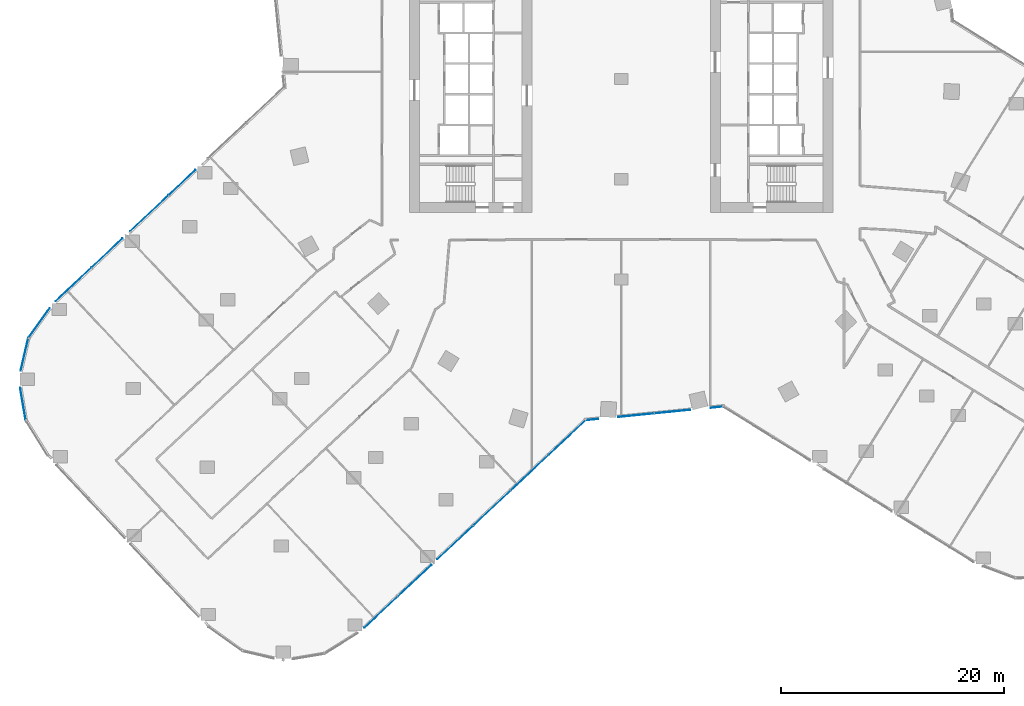
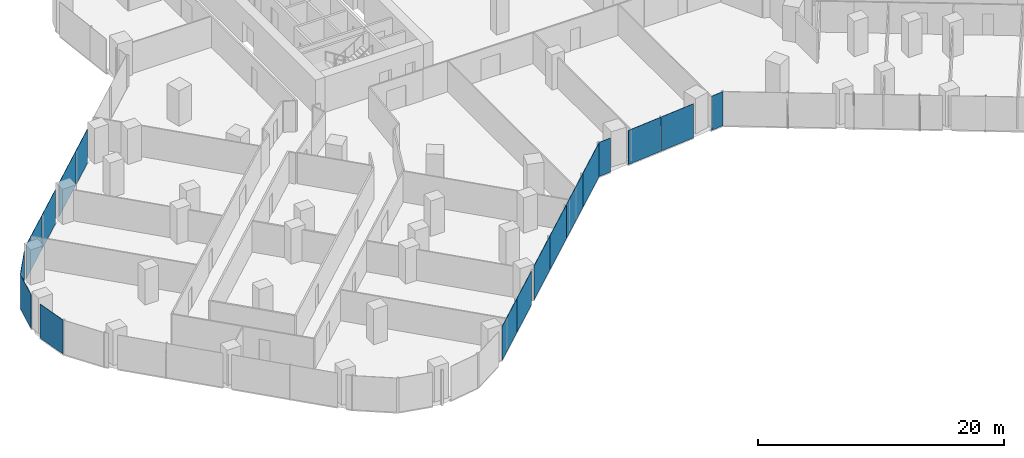
# One storey, part 18 of 34: 17 plates, 6 elements without a shape of their own.
"""IFC4 building model written with IfcOpenShell, lengths in metres."""

from ifc_helpers import new_model, si_unit, direction, frame, origin, origin_2d, place, context, subcontext, project, spatial, rectangle, extrude, material, layer, layer_set, type_object, element, aggregate, save


model = new_model("IFC4")

# Units and contexts
model_context = context("Model", 3, precision=1e-05, world=origin(), true_north=direction((0.0, 1.0)))
body_context = subcontext(model_context, "Body", "Model", "MODEL_VIEW")
ifc_project = project(units=[si_unit("LENGTHUNIT", "METRE"), si_unit("AREAUNIT", "SQUARE_METRE"), si_unit("VOLUMEUNIT", "CUBIC_METRE"), si_unit("PLANEANGLEUNIT", "RADIAN"), si_unit("MASSUNIT", "GRAM", prefix="KILO")], contexts=[model_context])

# Site, building, storey
site_placement = place(None, origin())
site = spatial("IfcSite", under=ifc_project, at=site_placement, CompositionType="ELEMENT")
building_placement = place(site_placement, origin())
building = spatial("IfcBuilding", under=site, at=building_placement, Name="Orlundy Tower", CompositionType="ELEMENT")
storey_placement = place(building_placement, frame((0.0, 0.0, 47.800048828125)))
storey = spatial("IfcBuildingStorey", under=building, at=storey_placement, Name="L10", CompositionType="ELEMENT", Elevation=47.800048828125)

# Curtain wall, plates
ifc_material_1 = material(Name="Aluminium bronze anodised", Category="aluminium")
curtain_wall_type = type_object("IfcCurtainWallType", Name="CW1 wall", PredefinedType="NOTDEFINED", material=ifc_material_1)
curtain_wall_1_placement = place(storey_placement, origin())
curtain_wall_1 = element("IfcCurtainWall", 1, at=curtain_wall_1_placement, inside=storey, type_object=curtain_wall_type, Name="CW1 run 00", PredefinedType="NOTDEFINED")
ifc_material_2 = material(Name="Tinted glass", Category="glass")
ifc_layer = layer(ifc_material_2, 0.031982421875)
ifc_layer_set = layer_set([ifc_layer], Name="CW1 glass panel 32")
plate_type = type_object("IfcPlateType", Name="CW1 glass panel 32", PredefinedType="CURTAIN_PANEL", material=ifc_layer_set)
plate_1_placement = place(storey_placement, frame((-49.14013671875, -18.446044921875, -0.300048828125), z_axis=(0.0, 0.0, 1.0), x_axis=(0.729351371178, 0.684139296752, 0.0)))
plate_1 = element("IfcPlate", 2, at=plate_1_placement, type_object=plate_type, Name="CW1 panel", PredefinedType="CURTAIN_PANEL", context=body_context, shape_type="SweptSolid", body=[
    extrude(rectangle(XDim=4.3818359375, YDim=0.031982421875, at=origin_2d()), origin(), (0.0, 0.0, 1.0), 3.3798828125),
])
plate_2_placement = place(storey_placement, frame((-46.118408203125, -15.611572265625, -0.300048828125), z_axis=(0.0, 0.0, 1.0), x_axis=(0.729351371178, 0.684139296752, 0.0)))
plate_2 = element("IfcPlate", 3, at=plate_2_placement, type_object=plate_type, Name="CW1 panel", PredefinedType="CURTAIN_PANEL", context=body_context, shape_type="SweptSolid", body=[
    extrude(rectangle(XDim=3.80419921875, YDim=0.031982421875, at=origin_2d()), origin(), (0.0, 0.0, 1.0), 3.3798828125),
])
plate_3_placement = place(storey_placement, frame((-42.3212890625, -12.050048828125, -0.300048828125), z_axis=(0.0, 0.0, 1.0), x_axis=(0.729351371178, 0.684139296752, 0.0)))
plate_3 = element("IfcPlate", 4, at=plate_3_placement, type_object=plate_type, Name="CW1 panel", PredefinedType="CURTAIN_PANEL", context=body_context, shape_type="SweptSolid", body=[
    extrude(rectangle(XDim=4.705322265625, YDim=0.031982421875, at=origin_2d()), origin(), (0.0, 0.0, 1.0), 3.3798828125),
])
plate_4_placement = place(storey_placement, frame((-39.3798828125, -9.291015625, -0.300048828125), z_axis=(0.0, 0.0, 1.0), x_axis=(0.729351371178, 0.684139296752, 0.0)))
plate_4 = element("IfcPlate", 5, at=plate_4_placement, type_object=plate_type, Name="CW1 panel", PredefinedType="CURTAIN_PANEL", context=body_context, shape_type="SweptSolid", body=[
    extrude(rectangle(XDim=3.260498046875, YDim=0.031982421875, at=origin_2d()), origin(), (0.0, 0.0, 1.0), 3.3798828125),
])
aggregate(curtain_wall_1, [plate_1, plate_2, plate_3, plate_4])

curtain_wall_2_placement = place(storey_placement, origin())
curtain_wall_2 = element("IfcCurtainWall", 6, at=curtain_wall_2_placement, inside=storey, type_object=curtain_wall_type, Name="CW1 run 017", PredefinedType="NOTDEFINED")
plate_5_placement = place(storey_placement, frame((8.5810546875, -29.460693359375, -0.300048828125), z_axis=(0.0, 0.0, 1.0), x_axis=(-0.995112236774, -0.098750373279, 0.0)))
plate_5 = element("IfcPlate", 7, at=plate_5_placement, type_object=plate_type, Name="CW1 panel", PredefinedType="CURTAIN_PANEL", context=body_context, shape_type="SweptSolid", body=[
    extrude(rectangle(XDim=1.11474609375, YDim=0.031982421875, at=origin_2d()), origin(), (0.0, 0.0, 1.0), 3.3798828125),
])
plate_6_placement = place(storey_placement, frame((4.61083984375, -29.854736328125, -0.300048828125), z_axis=(0.0, 0.0, 1.0), x_axis=(-0.995112236774, -0.098750373279, 0.0)))
plate_6 = element("IfcPlate", 8, at=plate_6_placement, type_object=plate_type, Name="CW1 panel", PredefinedType="CURTAIN_PANEL", context=body_context, shape_type="SweptSolid", body=[
    extrude(rectangle(XDim=3.23046875, YDim=0.031982421875, at=origin_2d()), origin(), (0.0, 0.0, 1.0), 3.3798828125),
])
plate_7_placement = place(storey_placement, frame((1.34619140625, -30.1787109375, -0.300048828125), z_axis=(0.0, 0.0, 1.0), x_axis=(-0.995112236774, -0.098750373279, 0.0)))
plate_7 = element("IfcPlate", 9, at=plate_7_placement, type_object=plate_type, Name="CW1 panel", PredefinedType="CURTAIN_PANEL", context=body_context, shape_type="SweptSolid", body=[
    extrude(rectangle(XDim=3.23095703125, YDim=0.031982421875, at=origin_2d()), origin(), (0.0, 0.0, 1.0), 3.3798828125),
])
plate_8_placement = place(storey_placement, frame((-2.6240234375, -30.57275390625, -0.300048828125), z_axis=(0.0, 0.0, 1.0), x_axis=(-0.995112236774, -0.098750373279, 0.0)))
plate_8 = element("IfcPlate", 10, at=plate_8_placement, type_object=plate_type, Name="CW1 panel", PredefinedType="CURTAIN_PANEL", context=body_context, shape_type="SweptSolid", body=[
    extrude(rectangle(XDim=1.1142578125, YDim=0.031982421875, at=origin_2d()), origin(), (0.0, 0.0, 1.0), 3.3798828125),
])
aggregate(curtain_wall_2, [plate_5, plate_6, plate_7, plate_8])

curtain_wall_3_placement = place(storey_placement, origin())
curtain_wall_3 = element("IfcCurtainWall", 11, at=curtain_wall_3_placement, inside=storey, type_object=curtain_wall_type, Name="CW1 run 018", PredefinedType="NOTDEFINED")
plate_9_placement = place(storey_placement, frame((-4.837646484375, -32.18408203125, -0.300048828125), z_axis=(0.0, 0.0, 1.0), x_axis=(-0.729365455086, -0.684124281784, 0.0)))
plate_9 = element("IfcPlate", 12, at=plate_9_placement, type_object=plate_type, Name="CW1 panel", PredefinedType="CURTAIN_PANEL", context=body_context, shape_type="SweptSolid", body=[
    extrude(rectangle(XDim=4.550048828125, YDim=0.031982421875, at=origin_2d()), origin(), (0.0, 0.0, 1.0), 3.3798828125),
])
plate_10_placement = place(storey_placement, frame((-8.2041015625, -35.341552734375, -0.300048828125), z_axis=(0.0, 0.0, 1.0), x_axis=(-0.729365455086, -0.684124281784, 0.0)))
plate_10 = element("IfcPlate", 13, at=plate_10_placement, type_object=plate_type, Name="CW1 panel", PredefinedType="CURTAIN_PANEL", context=body_context, shape_type="SweptSolid", body=[
    extrude(rectangle(XDim=4.580810546875, YDim=0.031982421875, at=origin_2d()), origin(), (0.0, 0.0, 1.0), 3.3798828125),
])
plate_11_placement = place(storey_placement, frame((-11.58154296875, -38.509521484375, -0.300048828125), z_axis=(0.0, 0.0, 1.0), x_axis=(-0.729365455086, -0.684124281784, 0.0)))
plate_11 = element("IfcPlate", 14, at=plate_11_placement, type_object=plate_type, Name="CW1 panel", PredefinedType="CURTAIN_PANEL", context=body_context, shape_type="SweptSolid", body=[
    extrude(rectangle(XDim=4.580810546875, YDim=0.031982421875, at=origin_2d()), origin(), (0.0, 0.0, 1.0), 3.3798828125),
])
plate_12_placement = place(storey_placement, frame((-14.8876953125, -41.61083984375, -0.300048828125), z_axis=(0.0, 0.0, 1.0), x_axis=(-0.729365455086, -0.684124281784, 0.0)))
plate_12 = element("IfcPlate", 15, at=plate_12_placement, type_object=plate_type, Name="CW1 panel", PredefinedType="CURTAIN_PANEL", context=body_context, shape_type="SweptSolid", body=[
    extrude(rectangle(XDim=4.38525390625, YDim=0.031982421875, at=origin_2d()), origin(), (0.0, 0.0, 1.0), 3.3798828125),
])
plate_13_placement = place(storey_placement, frame((-18.51318359375, -45.01123046875, -0.300048828125), z_axis=(0.0, 0.0, 1.0), x_axis=(-0.729365455086, -0.684124281784, 0.0)))
plate_13 = element("IfcPlate", 16, at=plate_13_placement, type_object=plate_type, Name="CW1 panel", PredefinedType="CURTAIN_PANEL", context=body_context, shape_type="SweptSolid", body=[
    extrude(rectangle(XDim=4.096435546875, YDim=0.031982421875, at=origin_2d()), origin(), (0.0, 0.0, 1.0), 3.3798828125),
])
plate_14_placement = place(storey_placement, frame((-21.53515625, -47.845947265625, -0.300048828125), z_axis=(0.0, 0.0, 1.0), x_axis=(-0.729365455086, -0.684124281784, 0.0)))
plate_14 = element("IfcPlate", 17, at=plate_14_placement, type_object=plate_type, Name="CW1 panel", PredefinedType="CURTAIN_PANEL", context=body_context, shape_type="SweptSolid", body=[
    extrude(rectangle(XDim=4.090576171875, YDim=0.031982421875, at=origin_2d()), origin(), (0.0, 0.0, 1.0), 3.3798828125),
])
aggregate(curtain_wall_3, [plate_9, plate_10, plate_11, plate_12, plate_13, plate_14])

# Curtain wall, plate
curtain_wall_4_placement = place(storey_placement, origin())
curtain_wall_4 = element("IfcCurtainWall", 18, at=curtain_wall_4_placement, inside=storey, type_object=curtain_wall_type, Name="CW1 run 025", PredefinedType="NOTDEFINED")
plate_15_placement = place(storey_placement, frame((-53.670654296875, -29.17041015625, -0.300048828125), z_axis=(0.0, 0.0, 1.0), x_axis=(-0.163480241914, 0.986546608379, 0.0)))
plate_15 = element("IfcPlate", 19, at=plate_15_placement, type_object=plate_type, Name="CW1 panel", PredefinedType="CURTAIN_PANEL", context=body_context, shape_type="SweptSolid", body=[
    extrude(rectangle(XDim=2.9873046875, YDim=0.031982421875, at=origin_2d()), origin(), (0.0, 0.0, 1.0), 3.3798828125),
])
aggregate(curtain_wall_4, [plate_15])

curtain_wall_5_placement = place(storey_placement, origin())
curtain_wall_5 = element("IfcCurtainWall", 20, at=curtain_wall_5_placement, inside=storey, type_object=curtain_wall_type, Name="CW1 run 026", PredefinedType="NOTDEFINED")
plate_16_placement = place(storey_placement, frame((-53.531982421875, -24.72265625, -0.300048828125), z_axis=(0.0, 0.0, 1.0), x_axis=(0.226317097073, 0.974053680026, 0.0)))
plate_16 = element("IfcPlate", 21, at=plate_16_placement, type_object=plate_type, Name="CW1 panel", PredefinedType="CURTAIN_PANEL", context=body_context, shape_type="SweptSolid", body=[
    extrude(rectangle(XDim=3.02734375, YDim=0.031982421875, at=origin_2d()), origin(), (0.0, 0.0, 1.0), 3.3798828125),
])
aggregate(curtain_wall_5, [plate_16])

curtain_wall_6_placement = place(storey_placement, origin())
curtain_wall_6 = element("IfcCurtainWall", 22, at=curtain_wall_6_placement, inside=storey, type_object=curtain_wall_type, Name="CW1 run 027", PredefinedType="NOTDEFINED")
plate_17_placement = place(storey_placement, frame((-52.230224609375, -21.90771484375, -0.300048828125), z_axis=(0.0, 0.0, 1.0), x_axis=(0.58197810512, 0.813204454711, 0.0)))
plate_17 = element("IfcPlate", 23, at=plate_17_placement, type_object=plate_type, Name="CW1 panel", PredefinedType="CURTAIN_PANEL", context=body_context, shape_type="SweptSolid", body=[
    extrude(rectangle(XDim=3.29638671875, YDim=0.031982421875, at=origin_2d()), origin(), (0.0, 0.0, 1.0), 3.3798828125),
])
aggregate(curtain_wall_6, [plate_17])

save(model, "model.ifc")
